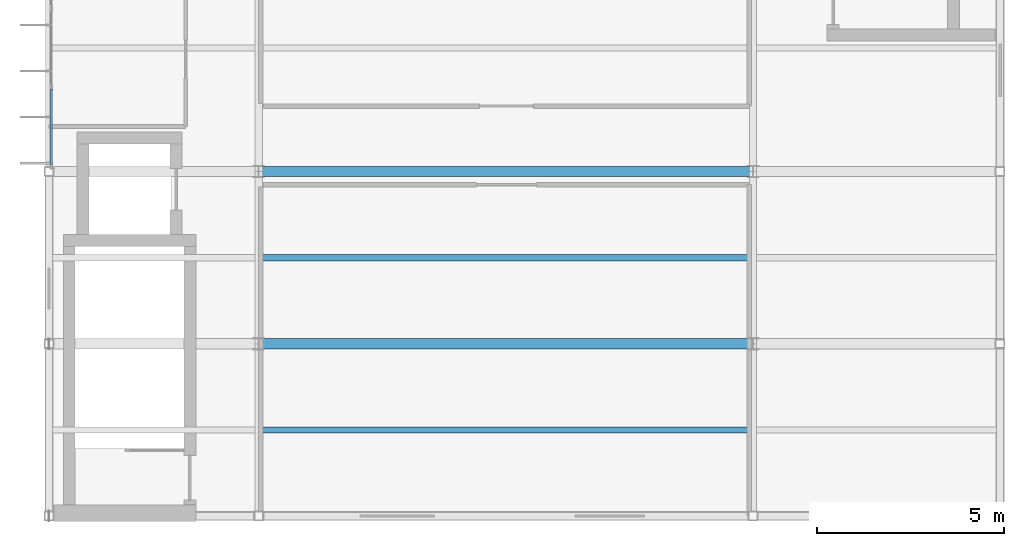
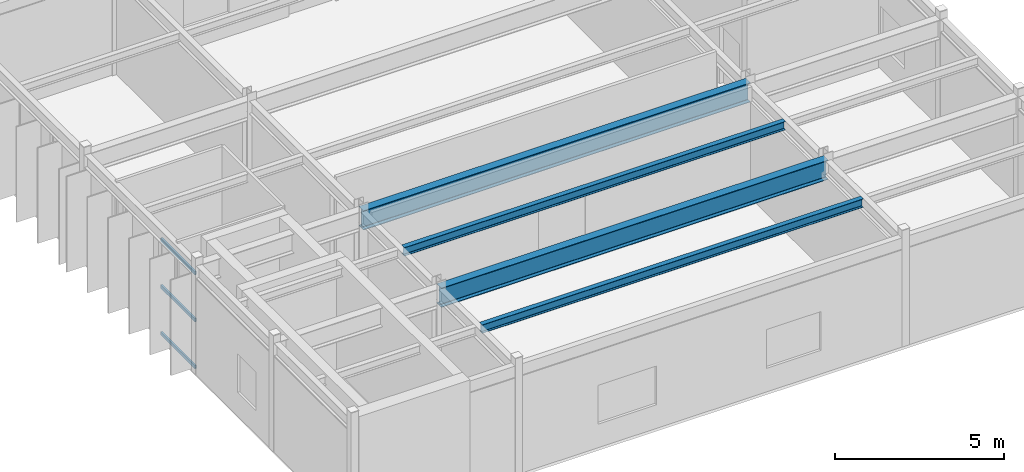
# One storey, part 30 of 130: 4 beams, 3 members, 1 element without a shape of its own.
"""IFC4 building model written with IfcOpenShell, lengths in metres."""

from ifc_helpers import new_model, si_unit, direction, frame, origin, origin_2d, place, context, subcontext, project, spatial, hollow_rectangle, i_section, extrude, material, material_profile, profile_set, type_object, element, aggregate, save


model = new_model("IFC4")

# Units and contexts
model_context = context("Model", 3, precision=1e-05, world=origin(), true_north=direction((0.0, 1.0)))
body_context = subcontext(model_context, "Body", "Model", "MODEL_VIEW")
ifc_project = project(units=[si_unit("LENGTHUNIT", "METRE"), si_unit("AREAUNIT", "SQUARE_METRE"), si_unit("VOLUMEUNIT", "CUBIC_METRE"), si_unit("PLANEANGLEUNIT", "RADIAN"), si_unit("MASSUNIT", "GRAM", prefix="KILO")], contexts=[model_context])

# Site, building, storey
site_placement = place(None, origin())
site = spatial("IfcSite", under=ifc_project, at=site_placement, CompositionType="ELEMENT")
building_placement = place(site_placement, origin())
building = spatial("IfcBuilding", under=site, at=building_placement, Name="Karori Crest Natural Sciences Institute", CompositionType="ELEMENT")
storey_placement = place(building_placement, frame((0.0, 0.0, 17.5)))
storey = spatial("IfcBuildingStorey", under=building, at=storey_placement, Name="L04", CompositionType="ELEMENT", Elevation=17.5)

# Beams
ifc_material_1 = material(Name="Structural steel AS/NZS 3679.1 Grade 350", Category="steel")
ifc_material_profile_1 = material_profile(ifc_material_1, i_section(OverallWidth=0.27490234375, OverallDepth=0.699951171875, WebThickness=0.010009765625, FlangeThickness=0.02001953125, FilletRadius=0.013916015625, at=origin_2d()), Name="700WB150")
ifc_profile_set_1 = profile_set([ifc_material_profile_1], Name="Structural steel AS/NZS 3679.1 Grade 350")
beam_type_1 = type_object("IfcBeamType", Name="BT-03", PredefinedType="BEAM", material=ifc_profile_set_1)
for number, where, z_axis, x_axis, name in (
    (1, (7.39990234375, 35.800048828125, 3.570068359375), (1.0, 0.0, 0.0), (0.0, 1.0, 0.0), "Beam B-1211"),
    (2, (7.39990234375, 40.39990234375, 3.570068359375), (1.0, 0.0, 0.0), (0.0, 1.0, 0.0), "Beam B-1214"),
):
    element("IfcBeam", number, at=place(storey_placement, frame(where, z_axis=z_axis, x_axis=x_axis)), inside=storey, type_object=beam_type_1, Name=name, PredefinedType="BEAM", context=body_context, shape_type="SweptSolid", body=[
        extrude(i_section(OverallWidth=0.27490234375, OverallDepth=0.699951171875, WebThickness=0.010009765625, FlangeThickness=0.02001953125, FilletRadius=0.013916015625, at=origin_2d()), origin(), (0.0, 0.0, 1.0), 13.2001953125),
    ])
ifc_material_profile_2 = material_profile(ifc_material_1, i_section(OverallWidth=0.166015625, OverallDepth=0.306884765625, WebThickness=0.006591796875, FlangeThickness=0.01171875, FilletRadius=0.010986328125, at=origin_2d()), Name="310UB46.2")
ifc_profile_set_2 = profile_set([ifc_material_profile_2], Name="Structural steel AS/NZS 3679.1 Grade 350")
beam_type_2 = type_object("IfcBeamType", Name="BT-09", PredefinedType="BEAM", material=ifc_profile_set_2)
for number, where, z_axis, x_axis, name in (
    (3, (7.49560546875, 33.5, 3.7666015625), (1.0, 0.0, 0.0), (0.0, 1.0, 0.0), "Beam B-1242"),
    (4, (7.49560546875, 38.10009765625, 3.7666015625), (1.0, 0.0, 0.0), (0.0, 1.0, 0.0), "Beam B-1243"),
):
    element("IfcBeam", number, at=place(storey_placement, frame(where, z_axis=z_axis, x_axis=x_axis)), inside=storey, type_object=beam_type_2, Name=name, PredefinedType="BEAM", context=body_context, shape_type="SweptSolid", body=[
        extrude(i_section(OverallWidth=0.166015625, OverallDepth=0.306884765625, WebThickness=0.006591796875, FlangeThickness=0.01171875, FilletRadius=0.010986328125, at=origin_2d()), origin(), (0.0, 0.0, 1.0), 13.0087890625),
    ])

# Curtain wall, members
ifc_material_2 = material(Name="Anodised architectural aluminium 6063-T6", Category="aluminium")
curtain_wall_type = type_object("IfcCurtainWallType", Name="CWT-17", PredefinedType="NOTDEFINED", material=ifc_material_2)
curtain_wall_placement = place(storey_placement, origin())
curtain_wall = element("IfcCurtainWall", 5, at=curtain_wall_placement, inside=storey, type_object=curtain_wall_type, Name="Curtain wall CW-0286", PredefinedType="NOTDEFINED")
ifc_material_profile_3 = material_profile(ifc_material_2, hollow_rectangle(XDim=0.06005859375, YDim=0.1201171875, WallThickness=0.00390625, at=origin_2d()), Name="CWT120x60x4")
ifc_profile_set_3 = profile_set([ifc_material_profile_3], Name="Anodised architectural aluminium 6063-T6")
member_type = type_object("IfcMemberType", Name="CWT-TR1", PredefinedType="USERDEFINED", material=ifc_profile_set_3)
member_1_placement = place(storey_placement, frame((1.860107421875, 40.587890625, 0.030029296875), z_axis=(0.0, 1.0, 0.0), x_axis=(-1.0, 0.0, 0.0)))
member_1 = element("IfcMember", 6, at=member_1_placement, type_object=member_type, Name="CW-0286 transom 1.1", ObjectType="TRANSOM", PredefinedType="USERDEFINED", context=body_context, shape_type="SweptSolid", body=[
    extrude(hollow_rectangle(XDim=0.06005859375, YDim=0.1201171875, WallThickness=0.00390625, at=origin_2d()), origin(), (0.0, 0.0, 1.0), 2.0205078125),
])
member_2_placement = place(storey_placement, frame((1.860107421875, 40.587890625, 1.722412109375), z_axis=(0.0, 1.0, 0.0), x_axis=(-1.0, 0.0, 0.0)))
member_2 = element("IfcMember", 7, at=member_2_placement, type_object=member_type, Name="CW-0286 transom 1.2", ObjectType="TRANSOM", PredefinedType="USERDEFINED", context=body_context, shape_type="SweptSolid", body=[
    extrude(hollow_rectangle(XDim=0.06005859375, YDim=0.1201171875, WallThickness=0.00390625, at=origin_2d()), origin(), (0.0, 0.0, 1.0), 2.0205078125),
])
member_3_placement = place(storey_placement, frame((1.860107421875, 40.587890625, 3.4150390625), z_axis=(0.0, 1.0, 0.0), x_axis=(-1.0, 0.0, 0.0)))
member_3 = element("IfcMember", 8, at=member_3_placement, type_object=member_type, Name="CW-0286 transom 1.3", ObjectType="TRANSOM", PredefinedType="USERDEFINED", context=body_context, shape_type="SweptSolid", body=[
    extrude(hollow_rectangle(XDim=0.06005859375, YDim=0.1201171875, WallThickness=0.00390625, at=origin_2d()), origin(), (0.0, 0.0, 1.0), 2.0205078125),
])
aggregate(curtain_wall, [member_1, member_2, member_3])

save(model, "model.ifc")
